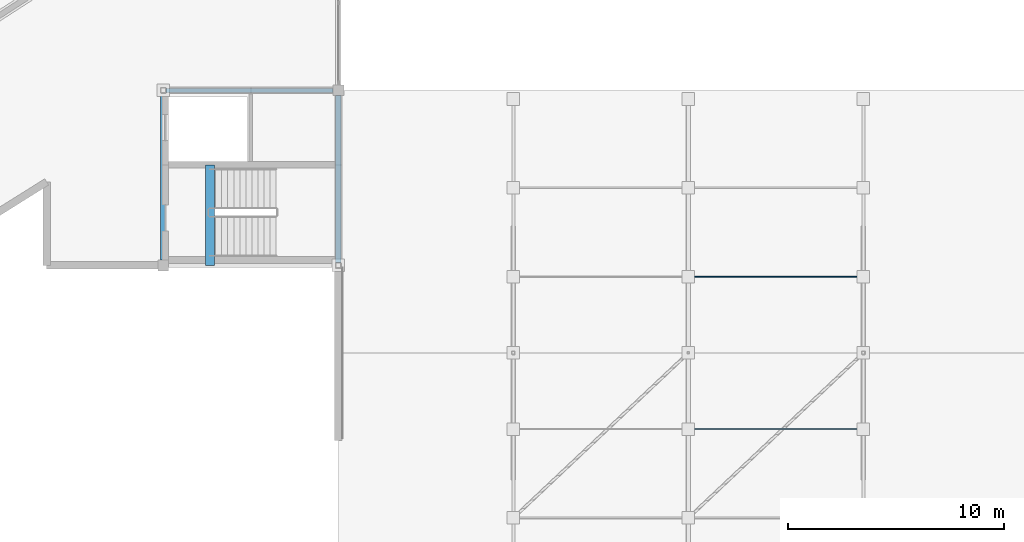
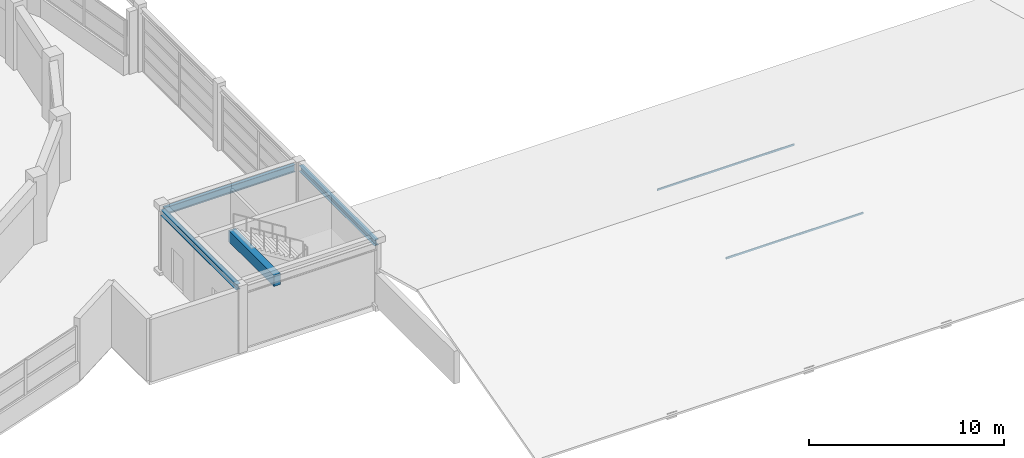
# One storey, part 17 of 54: 4 beams, 2 members.
"""IFC4 building model written with IfcOpenShell, lengths in metres."""

import ifcopenshell
import ifcopenshell.guid

model = None  # the IFC model being written
_history = None  # IfcOwnerHistory: only IFC2X3 demands one
_inside = {}  # id of a spatial element -> (the spatial element, [elements in it])
_under = {}  # id of a project, library or spatial element -> (it, [spatial elements below it])
_declared = {}  # id of a project -> (the project, [libraries it declares])
_typed = {}  # id of a type object -> (the type object, [elements of that type])
_made_of = {}  # id of a material, layer set ... -> (it, [elements and type objects made of it])


def new_model(schema):
    """Start an empty IFC model of exactly this schema.

    Asked for "IFC4X3", IfcOpenShell would pick the latest addendum, in which some entities
    have other attributes; the version numbers below select the first issue.
    IFC2X3 requires an IfcOwnerHistory on every rooted entity: one is made here for all.
    """
    global model, _history
    if schema == "IFC4X3":
        model = ifcopenshell.file(schema_version=(4, 3, 0, 0))
    else:
        model = ifcopenshell.file(schema=schema)
    _inside.clear()
    _under.clear()
    _declared.clear()
    _typed.clear()
    _made_of.clear()
    _history = None
    if model.schema == "IFC2X3":
        org = make("IfcOrganization", Name="unknown")
        user = make(
            "IfcPersonAndOrganization",
            ThePerson=make("IfcPerson", FamilyName="unknown"),
            TheOrganization=org,
        )
        app = make(
            "IfcApplication",
            ApplicationDeveloper=org,
            Version="unknown",
            ApplicationFullName="unknown",
            ApplicationIdentifier="unknown",
        )
        _history = make(
            "IfcOwnerHistory",
            OwningUser=user,
            OwningApplication=app,
            ChangeAction="ADDED",
            CreationDate=0,
        )
    return model


def make(cls, **values):
    """One entity of the class cls with the attributes given. An attribute that is None is left unset."""
    return model.create_entity(
        cls, **{name: value for name, value in values.items() if value is not None}
    )


def rooted(cls, **values):
    """An entity with a GlobalId (a new one), such as an element, a storey or a relation."""
    return make(cls, GlobalId=ifcopenshell.guid.new(), OwnerHistory=_history, **values)


def si_unit(unit_type, name, prefix=None):
    """IfcSIUnit, for example si_unit("LENGTHUNIT", "METRE", prefix="MILLI")."""
    return make("IfcSIUnit", UnitType=unit_type, Prefix=prefix, Name=name)


def assignment(units):
    """IfcUnitAssignment: the units of a project."""
    return None if units is None else make("IfcUnitAssignment", Units=units)


def point(xyz):
    """IfcCartesianPoint."""
    return None if xyz is None else make("IfcCartesianPoint", Coordinates=xyz)


def direction(xyz):
    """IfcDirection."""
    return None if xyz is None else make("IfcDirection", DirectionRatios=xyz)


def frame(location, z_axis=None, x_axis=None):
    """IfcAxis2Placement3D, a coordinate frame: its origin and axes. An axis left out is left unset."""
    return make(
        "IfcAxis2Placement3D",
        Location=point(location),
        Axis=direction(z_axis),
        RefDirection=direction(x_axis),
    )


def frame_2d(location, x_axis=None):
    """IfcAxis2Placement2D, a coordinate frame in the plane: its origin and x axis."""
    return make(
        "IfcAxis2Placement2D", Location=point(location), RefDirection=direction(x_axis)
    )


def origin():
    """The frame at (0, 0, 0) with its axes left unset."""
    return frame((0.0, 0.0, 0.0))


def origin_2d():
    """The frame at (0, 0) in the plane with its x axis left unset."""
    return frame_2d((0.0, 0.0))


def place(relative_to, where):
    """IfcLocalPlacement: puts the frame where relative to a parent placement (None: the world)."""
    return make(
        "IfcLocalPlacement", PlacementRelTo=relative_to, RelativePlacement=where
    )


def context(
    kind, dimensions, precision=None, world=None, true_north=None, identifier=None
):
    """IfcGeometricRepresentationContext, for example the 3D "Model" context."""
    return make(
        "IfcGeometricRepresentationContext",
        ContextIdentifier=identifier,
        ContextType=kind,
        CoordinateSpaceDimension=dimensions,
        Precision=precision,
        WorldCoordinateSystem=world,
        TrueNorth=true_north,
    )


def subcontext(parent, identifier, kind, view, scale=None):
    """IfcGeometricRepresentationSubContext, for example "Body" below "Model"."""
    return make(
        "IfcGeometricRepresentationSubContext",
        ContextIdentifier=identifier,
        ContextType=kind,
        ParentContext=parent,
        TargetScale=scale,
        TargetView=view,
    )


def project(units=None, contexts=None):
    """IfcProject with its units and contexts."""
    return rooted(
        "IfcProject",
        Name="project",
        RepresentationContexts=contexts,
        UnitsInContext=assignment(units),
    )


def spatial(cls, under=None, at=None, **own):
    """A site, building, storey or space (cls), placed at a placement, below another one or the project."""
    s = rooted(cls, ObjectPlacement=at, **own)
    if under is not None:
        _under.setdefault(under.id(), (under, []))[1].append(s)
    return s


def profile(cls, at=None, kind="AREA", **sizes):
    """A parametric profile (cls). Its sizes go by their IFC names, for example OverallWidth=200.0."""
    return make(cls, ProfileType=kind, Position=at, **sizes)


def rectangle(**sizes):
    """IfcRectangleProfileDef."""
    return profile("IfcRectangleProfileDef", **sizes)


def hollow_rectangle(**sizes):
    """IfcRectangleHollowProfileDef."""
    return profile("IfcRectangleHollowProfileDef", **sizes)


def i_section(**sizes):
    """IfcIShapeProfileDef."""
    return profile("IfcIShapeProfileDef", **sizes)


def extrude(swept, where, along, depth):
    """IfcExtrudedAreaSolid: the profile swept, set in the frame where, extruded along a direction by depth."""
    return make(
        "IfcExtrudedAreaSolid",
        SweptArea=swept,
        Position=where,
        ExtrudedDirection=direction(along),
        Depth=depth,
    )


def shape(context_of_items, identifier, shape_type, items):
    """IfcShapeRepresentation: the items that make up one representation, for example the "Body"."""
    return make(
        "IfcShapeRepresentation",
        ContextOfItems=context_of_items,
        RepresentationIdentifier=identifier,
        RepresentationType=shape_type,
        Items=items,
    )


def material(Name=None, Category=None):
    """IfcMaterial."""
    return make("IfcMaterial", Name=Name, Category=Category)


def material_profile(
    of_material, cross_section, Name=None, Category=None, Priority=None
):
    """IfcMaterialProfile: a cross section and its material."""
    return make(
        "IfcMaterialProfile",
        Name=Name,
        Material=of_material,
        Profile=cross_section,
        Priority=Priority,
        Category=Category,
    )


def profile_set(profiles, Name=None, composite=None):
    """IfcMaterialProfileSet."""
    return make(
        "IfcMaterialProfileSet",
        Name=Name,
        MaterialProfiles=profiles,
        CompositeProfile=composite,
    )


def made_of(thing, what):
    """Note that an element or type object is made of a material, layer set ...; save() writes the relation."""
    if what is not None:
        _made_of.setdefault(what.id(), (what, []))[1].append(thing)
    return thing


def type_object(cls, material=None, **own):
    """A type object (cls), such as IfcWallType, which elements share."""
    return made_of(rooted(cls, **own), material)


def element(
    cls,
    number,
    at=None,
    inside=None,
    cuts=None,
    type_object=None,
    material=None,
    context=None,
    identifier="Body",
    shape_type=None,
    held_by="IfcProductDefinitionShape",
    body=None,
    shapes=None,
    **own,
):
    """One element of the class cls, such as IfcWall. Its Tag is "e" and its number.

    at: its placement. inside: the storey or other place that contains it. cuts: it is an
    opening in that element (IfcRelVoidsElement). A single representation is given by context,
    identifier, shape_type and body (its items); several are given by shapes. held_by: the class
    of the entity that holds the representations. save() writes the other relations.
    """
    e = rooted(cls, Tag="e%d" % number, ObjectPlacement=at, **own)
    if body is not None:
        shapes = [shape(context, identifier, shape_type, body)]
    if shapes is not None:
        e.Representation = make(held_by, Representations=shapes)
    if inside is not None:
        _inside.setdefault(inside.id(), (inside, []))[1].append(e)
    if cuts is not None:
        rooted(
            "IfcRelVoidsElement", RelatingBuildingElement=cuts, RelatedOpeningElement=e
        )
    if type_object is not None:
        _typed.setdefault(type_object.id(), (type_object, []))[1].append(e)
    return made_of(e, material)


def aggregate(whole, parts):
    """IfcRelAggregates: a whole, such as a stair, and the parts it consists of."""
    return rooted("IfcRelAggregates", RelatingObject=whole, RelatedObjects=parts)


def save(model, path):
    """Write the relations noted so far, then the file.

    IfcRelAggregates (storeys below a building ...), IfcRelContainedInSpatialStructure (elements
    in a storey), IfcRelDefinesByType, IfcRelAssociatesMaterial and IfcRelDeclares: one each for
    every whole, place, type object, material and project.
    """
    for whole, parts in _under.values():
        aggregate(whole, parts)
    for where, things in _inside.values():
        rooted(
            "IfcRelContainedInSpatialStructure",
            RelatedElements=things,
            RelatingStructure=where,
        )
    for kind, things in _typed.values():
        rooted("IfcRelDefinesByType", RelatedObjects=things, RelatingType=kind)
    for what, things in _made_of.values():
        rooted("IfcRelAssociatesMaterial", RelatedObjects=things, RelatingMaterial=what)
    for by, libraries in _declared.values():
        rooted("IfcRelDeclares", RelatingContext=by, RelatedDefinitions=libraries)
    model.write(path)


model = new_model("IFC4")

# Units and contexts
model_context = context("Model", 3, precision=1e-05, world=origin(), true_north=direction((0.0, 1.0)))
body_context = subcontext(model_context, "Body", "Model", "MODEL_VIEW")
ifc_project = project(units=[si_unit("LENGTHUNIT", "METRE"), si_unit("AREAUNIT", "SQUARE_METRE"), si_unit("VOLUMEUNIT", "CUBIC_METRE"), si_unit("PLANEANGLEUNIT", "RADIAN"), si_unit("MASSUNIT", "GRAM", prefix="KILO")], contexts=[model_context])

# Site, building, storey
site_placement = place(None, origin())
site = spatial("IfcSite", under=ifc_project, at=site_placement, CompositionType="ELEMENT")
building_placement = place(site_placement, origin())
building = spatial("IfcBuilding", under=site, at=building_placement, Name="Parian Resonance Hall", CompositionType="ELEMENT")
storey_placement = place(building_placement, frame((0.0, 0.0, 15.0)))
storey = spatial("IfcBuildingStorey", under=building, at=storey_placement, Name="L03", CompositionType="ELEMENT", Elevation=15.0)

# Beams
ifc_material_1 = material(Name="Concrete C40/50", Category="concrete")
ifc_material_profile_1 = material_profile(ifc_material_1, rectangle(XDim=0.39990234375, YDim=0.699951171875, at=origin_2d()), Name="RC-BM-400x700")
ifc_profile_set_1 = profile_set([ifc_material_profile_1], Name="Concrete C40/50")
beam_type_1 = type_object("IfcBeamType", Name="BM-RC400x700", PredefinedType="BEAM", material=ifc_profile_set_1)
beam_1_placement = place(storey_placement, frame((66.9599609375, 16.199951171875, 3.6298828125), z_axis=(0.0, 1.0, 0.0), x_axis=(-1.0, 0.0, 0.0)))
element("IfcBeam", 1, at=beam_1_placement, inside=storey, type_object=beam_type_1, Name="Core K3 stair arrival trimmer beam L03", PredefinedType="BEAM", context=body_context, shape_type="SweptSolid", body=[
    extrude(rectangle(XDim=0.39990234375, YDim=0.699951171875, at=origin_2d()), origin(), (0.0, 0.0, 1.0), 4.650146484375),
])
ifc_material_2 = material(Name="Steel S355", Category="steel")
ifc_material_profile_2 = material_profile(ifc_material_2, i_section(OverallWidth=0.2548828125, OverallDepth=0.35693359375, WebThickness=0.010498046875, FlangeThickness=0.018310546875, FilletRadius=0.01513671875, at=origin_2d()), Name="W360x101")
ifc_profile_set_2 = profile_set([ifc_material_profile_2], Name="Steel S355")
beam_type_2 = type_object("IfcBeamType", Name="BM-W360x101", PredefinedType="SPANDREL", material=ifc_profile_set_2)
for number, where, z_axis, x_axis, name in (
    (2, (64.800048828125, 16.449951171875, 3.801513671875), (0.0, 1.0, 0.0), (-1.0, 0.0, 0.0), "GY-L03-0872"),
    (3, (72.89990234375, 16.324951171875, 3.801513671875), (0.0, 1.0, 0.0), (-1.0, 0.0, 0.0), "GY-L03-0876"),
):
    element("IfcBeam", number, at=place(storey_placement, frame(where, z_axis=z_axis, x_axis=x_axis)), inside=storey, type_object=beam_type_2, Name=name, PredefinedType="SPANDREL", context=body_context, shape_type="SweptSolid", body=[
        extrude(i_section(OverallWidth=0.2548828125, OverallDepth=0.35693359375, WebThickness=0.010498046875, FlangeThickness=0.018310546875, FilletRadius=0.01513671875, at=origin_2d()), origin(), (0.0, 0.0, 1.0), 7.72509765625),
    ])
ifc_material_3 = material(Name="Steel S355", Category="steel")
ifc_material_profile_3 = material_profile(ifc_material_3, i_section(OverallWidth=0.19091796875, OverallDepth=0.4599609375, WebThickness=0.010009765625, FlangeThickness=0.01611328125, FilletRadius=0.01513671875, at=origin_2d()), Name="W460x82")
ifc_profile_set_3 = profile_set([ifc_material_profile_3], Name="Steel S355")
beam_type_3 = type_object("IfcBeamType", Name="BM-W460x82", PredefinedType="BEAM", material=ifc_profile_set_3)
beam_2_placement = place(storey_placement, frame((64.925048828125, 24.300048828125, 3.75), z_axis=(1.0, 0.0, 0.0), x_axis=(0.0, 1.0, 0.0)))
element("IfcBeam", 4, at=beam_2_placement, inside=storey, type_object=beam_type_3, Name="GX-L03-0826", PredefinedType="BEAM", context=body_context, shape_type="SweptSolid", body=[
    extrude(i_section(OverallWidth=0.19091796875, OverallDepth=0.4599609375, WebThickness=0.010009765625, FlangeThickness=0.01611328125, FilletRadius=0.01513671875, at=origin_2d()), origin(), (0.0, 0.0, 1.0), 7.724853515625),
])

# Members
ifc_material_4 = material(Name="Hollow structural steel S355", Category="steel")
ifc_material_profile_4 = material_profile(ifc_material_4, hollow_rectangle(XDim=0.06005859375, YDim=0.1201171875, WallThickness=0.0048828125, InnerFilletRadius=0.0048828125, OuterFilletRadius=0.010009765625, at=origin_2d()), Name="RHS120x60x5")
ifc_profile_set_4 = profile_set([ifc_material_profile_4], Name="Hollow structural steel S355")
member_type = type_object("IfcMemberType", Name="MEM-RHS120", PredefinedType="PURLIN", material=ifc_profile_set_4)
for number, where, z_axis, x_axis, name in (
    (5, (89.10009765625, 8.625, 1.824951171875), (1.0, 0.0, 0.0), (0.0, 1.0, 0.0), "Rehearsal roof purlin S2.2"),
    (6, (89.10009765625, 15.675048828125, 1.824951171875), (1.0, 0.0, 0.0), (0.0, 1.0, 0.0), "Rehearsal roof purlin N2.2"),
):
    element("IfcMember", number, at=place(storey_placement, frame(where, z_axis=z_axis, x_axis=x_axis)), inside=storey, type_object=member_type, Name=name, PredefinedType="PURLIN", context=body_context, shape_type="SweptSolid", body=[
        extrude(hollow_rectangle(XDim=0.06005859375, YDim=0.1201171875, WallThickness=0.0048828125, InnerFilletRadius=0.0048828125, OuterFilletRadius=0.010009765625, at=origin_2d()), origin(), (0.0, 0.0, 1.0), 8.099853515625),
    ])

save(model, "model.ifc")
